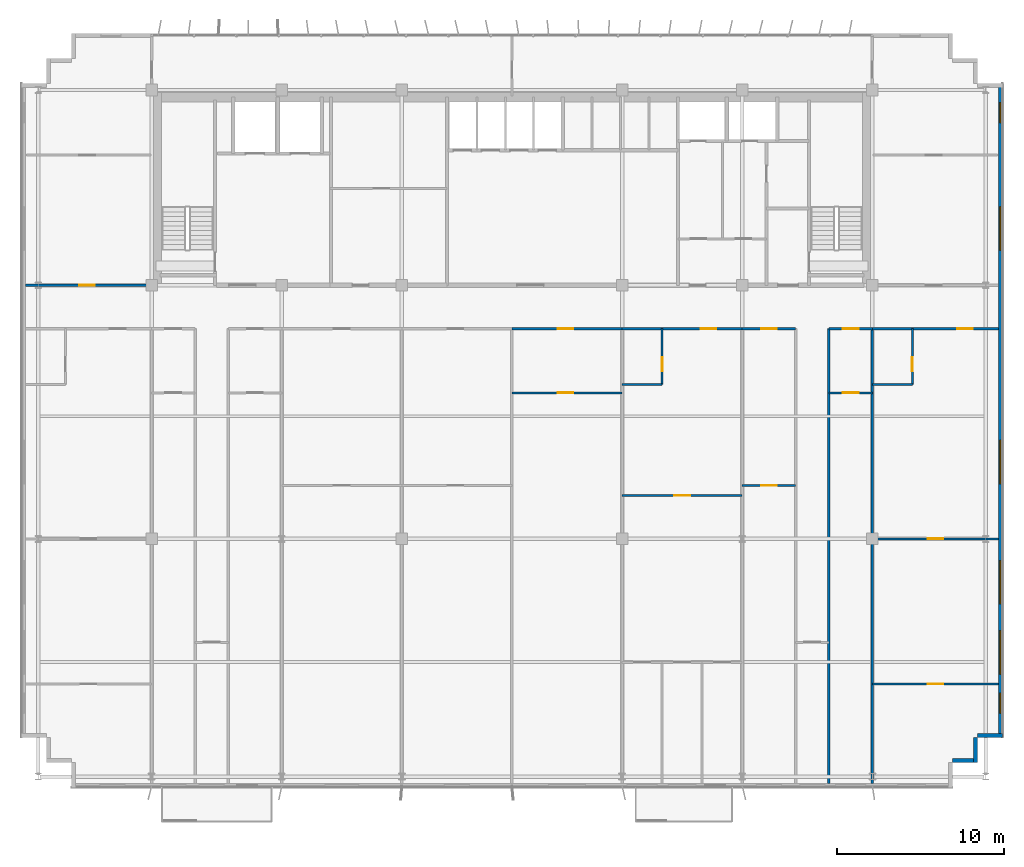
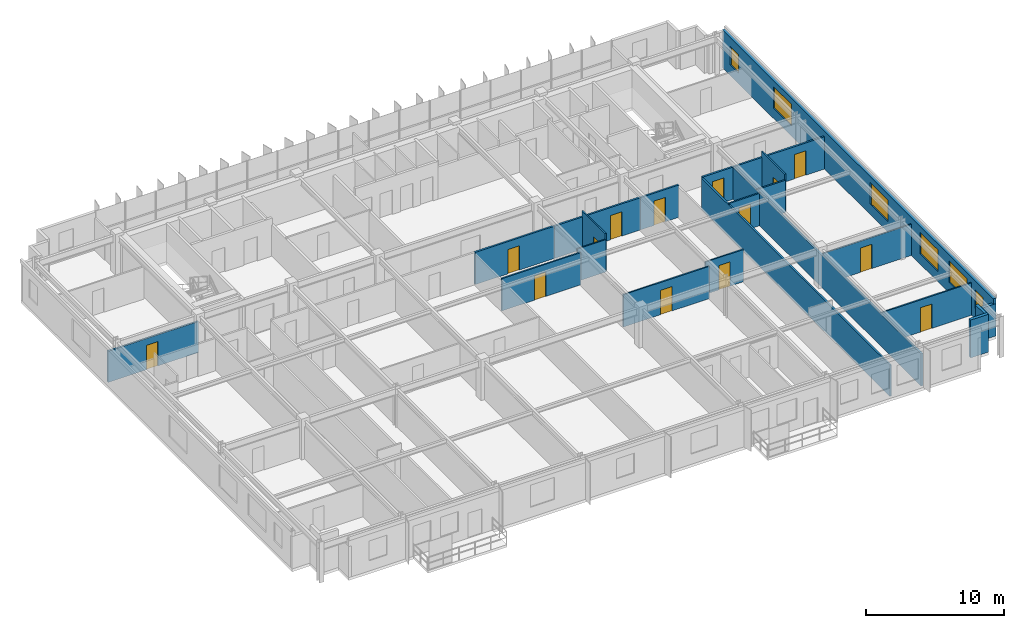
# One storey, part 16 of 20: 22 walls, 14 doors, 6 windows, 20 openings.
"""IFC4 building model written with IfcOpenShell, lengths in metres."""

from ifc_helpers import new_model, si_unit, direction, frame, frame_2d, origin, place, context, subcontext, project, spatial, rectangle, extrude, source, transform, mapped, material, layer, layer_set, type_object, element, fill, save


model = new_model("IFC4")

# Units and contexts
model_context = context("Model", 3, precision=1e-05, world=origin(), true_north=direction((0.0, 1.0)))
body_context = subcontext(model_context, "Body", "Model", "MODEL_VIEW")
ifc_project = project(units=[si_unit("LENGTHUNIT", "METRE"), si_unit("AREAUNIT", "SQUARE_METRE"), si_unit("VOLUMEUNIT", "CUBIC_METRE"), si_unit("PLANEANGLEUNIT", "RADIAN"), si_unit("MASSUNIT", "GRAM", prefix="KILO")], contexts=[model_context])

# Site, building, storey
site_placement = place(None, origin())
site = spatial("IfcSite", under=ifc_project, at=site_placement, CompositionType="ELEMENT")
building_placement = place(site_placement, origin())
building = spatial("IfcBuilding", under=site, at=building_placement, Name="Trelvane Seafront Commons", CompositionType="ELEMENT")
storey_placement = place(building_placement, frame((0.0, 0.0, 168.10009765625)))
storey = spatial("IfcBuildingStorey", under=building, at=storey_placement, Name="L44", CompositionType="ELEMENT", Elevation=168.10009765625)

# Wall, openings, windows
ifc_material_1 = material(Name="Precast concrete C40/50", Category="concrete")
ifc_layer_1 = layer(ifc_material_1, 0.239990234375, Name="ARCH-WALL-EXT240")
ifc_layer_set_1 = layer_set([ifc_layer_1], Name="Precast concrete C40/50")
wall_type_1 = type_object("IfcWallType", Name="ARCH-WALL-EXT240", PredefinedType="SOLIDWALL", material=ifc_layer_set_1)
wall_1_placement = place(storey_placement, frame((66.47998046875, 45.5, 0.0), z_axis=(0.0, 0.0, 1.0), x_axis=(0.0, -1.0, 0.0)))
wall_1 = element("IfcWall", 1, at=wall_1_placement, inside=storey, type_object=wall_type_1, Name="EW-L44-00877", PredefinedType="SOLIDWALL", context=body_context, shape_type="SweptSolid", body=[
    extrude(rectangle(XDim=39.199951171875, YDim=0.239990234375, at=frame_2d((19.60009765625, 0.0))), origin(), (0.0, 0.0, 1.0), 3.349853515625),
])
opening_1_placement = place(wall_1_placement, frame((36.550048828125, 0.0, 0.919921875)))
opening_1 = element("IfcOpeningElement", 2, at=opening_1_placement, cuts=wall_1, Name="Opening W05", PredefinedType="OPENING", context=body_context, shape_type="SweptSolid", body=[
    extrude(rectangle(XDim=1.199951171875, YDim=1.64990234375, at=frame_2d((0.60009765625, 0.824951171875))), frame((0.0, 0.1298828125, 0.0), z_axis=(0.0, -1.0, 0.0), x_axis=(1.0, 0.0, 0.0)), (0.0, 0.0, 1.0), 0.260009765625),
])
opening_2_placement = place(wall_1_placement, frame((32.800048828125, 0.0, 0.919921875)))
opening_2 = element("IfcOpeningElement", 3, at=opening_2_placement, cuts=wall_1, Name="Opening W04", PredefinedType="OPENING", context=body_context, shape_type="SweptSolid", body=[
    extrude(rectangle(XDim=2.60009765625, YDim=1.89990234375, at=frame_2d((1.300048828125, 0.949951171875))), frame((0.0, 0.1298828125, 0.0), z_axis=(0.0, -1.0, 0.0), x_axis=(1.0, 0.0, 0.0)), (0.0, 0.0, 1.0), 0.260009765625),
])
opening_3_placement = place(wall_1_placement, frame((28.60009765625, 0.0, 0.919921875)))
opening_3 = element("IfcOpeningElement", 4, at=opening_3_placement, cuts=wall_1, Name="Opening W04", PredefinedType="OPENING", context=body_context, shape_type="SweptSolid", body=[
    extrude(rectangle(XDim=2.60009765625, YDim=1.89990234375, at=frame_2d((1.300048828125, 0.949951171875))), frame((0.0, 0.1298828125, 0.0), z_axis=(0.0, -1.0, 0.0), x_axis=(1.0, 0.0, 0.0)), (0.0, 0.0, 1.0), 0.260009765625),
])
opening_4_placement = place(wall_1_placement, frame((21.39990234375, 0.0, 0.919921875)))
opening_4 = element("IfcOpeningElement", 5, at=opening_4_placement, cuts=wall_1, Name="Opening W04", PredefinedType="OPENING", context=body_context, shape_type="SweptSolid", body=[
    extrude(rectangle(XDim=2.60009765625, YDim=1.89990234375, at=frame_2d((1.300048828125, 0.949951171875))), frame((0.0, 0.1298828125, 0.0), z_axis=(0.0, -1.0, 0.0), x_axis=(1.0, 0.0, 0.0)), (0.0, 0.0, 1.0), 0.260009765625),
])
opening_5_placement = place(wall_1_placement, frame((7.39990234375, 0.0, 0.919921875)))
opening_5 = element("IfcOpeningElement", 6, at=opening_5_placement, cuts=wall_1, Name="Opening W04", PredefinedType="OPENING", context=body_context, shape_type="SweptSolid", body=[
    extrude(rectangle(XDim=2.60009765625, YDim=1.89990234375, at=frame_2d((1.300048828125, 0.949951171875))), frame((0.0, 0.1298828125, 0.0), z_axis=(0.0, -1.0, 0.0), x_axis=(1.0, 0.0, 0.0)), (0.0, 0.0, 1.0), 0.260009765625),
])
opening_6_placement = place(wall_1_placement, frame((1.14990234375, 0.0, 0.919921875)))
opening_6 = element("IfcOpeningElement", 7, at=opening_6_placement, cuts=wall_1, Name="Opening W05", PredefinedType="OPENING", context=body_context, shape_type="SweptSolid", body=[
    extrude(rectangle(XDim=1.199951171875, YDim=1.64990234375, at=frame_2d((0.60009765625, 0.824951171875))), frame((0.0, 0.1298828125, 0.0), z_axis=(0.0, -1.0, 0.0), x_axis=(1.0, 0.0, 0.0)), (0.0, 0.0, 1.0), 0.260009765625),
])
ifc_material_2 = material(Name="Low-E coastal double glazing", Category="glass")
window_type_1 = type_object("IfcWindowType", Name="ARCH-WIN-W04", PartitioningType="SINGLE_PANEL", PredefinedType="WINDOW", material=ifc_material_2)
shared_shape_1 = source(origin(), body_context, "Body", "SweptSolid", [
    extrude(rectangle(XDim=2.60009765625, YDim=1.89990234375, at=frame_2d((1.300048828125, 0.949951171875))), frame((0.0, 0.030029296875, 0.0), z_axis=(0.0, -1.0, 0.0), x_axis=(1.0, 0.0, 0.0)), (0.0, 0.0, 1.0), 0.06005859375),
])
window_1_placement = place(opening_2_placement, origin())
window_1 = element("IfcWindow", 8, at=window_1_placement, inside=storey, type_object=window_type_1, Name="WIN-L44-EW-01047", OverallHeight=1.89990234375, OverallWidth=2.60009765625, PartitioningType="SINGLE_PANEL", PredefinedType="WINDOW", context=body_context, shape_type="MappedRepresentation", body=[
    mapped(shared_shape_1, transform((0.0, 0.0, 0.0), x_axis=(1.0, 0.0, 0.0), y_axis=(0.0, 1.0, 0.0), z_axis=(0.0, 0.0, 1.0), scale=1.0)),
])
fill(opening_2, window_1)
window_2_placement = place(opening_3_placement, origin())
window_2 = element("IfcWindow", 9, at=window_2_placement, inside=storey, type_object=window_type_1, Name="WIN-L44-EW-01048", OverallHeight=1.89990234375, OverallWidth=2.60009765625, PartitioningType="SINGLE_PANEL", PredefinedType="WINDOW", context=body_context, shape_type="MappedRepresentation", body=[
    mapped(shared_shape_1, transform((0.0, 0.0, 0.0), x_axis=(1.0, 0.0, 0.0), y_axis=(0.0, 1.0, 0.0), z_axis=(0.0, 0.0, 1.0), scale=1.0)),
])
fill(opening_3, window_2)
window_3_placement = place(opening_4_placement, origin())
window_3 = element("IfcWindow", 10, at=window_3_placement, inside=storey, type_object=window_type_1, Name="WIN-L44-EW-01049", OverallHeight=1.89990234375, OverallWidth=2.60009765625, PartitioningType="SINGLE_PANEL", PredefinedType="WINDOW", context=body_context, shape_type="MappedRepresentation", body=[
    mapped(shared_shape_1, transform((0.0, 0.0, 0.0), x_axis=(1.0, 0.0, 0.0), y_axis=(0.0, 1.0, 0.0), z_axis=(0.0, 0.0, 1.0), scale=1.0)),
])
fill(opening_4, window_3)
window_4_placement = place(opening_5_placement, origin())
window_4 = element("IfcWindow", 11, at=window_4_placement, inside=storey, type_object=window_type_1, Name="WIN-L44-EW-01050", OverallHeight=1.89990234375, OverallWidth=2.60009765625, PartitioningType="SINGLE_PANEL", PredefinedType="WINDOW", context=body_context, shape_type="MappedRepresentation", body=[
    mapped(shared_shape_1, transform((0.0, 0.0, 0.0), x_axis=(1.0, 0.0, 0.0), y_axis=(0.0, 1.0, 0.0), z_axis=(0.0, 0.0, 1.0), scale=1.0)),
])
fill(opening_5, window_4)
window_type_2 = type_object("IfcWindowType", Name="ARCH-WIN-W05", PartitioningType="SINGLE_PANEL", PredefinedType="WINDOW", material=ifc_material_2)
shared_shape_2 = source(origin(), body_context, "Body", "SweptSolid", [
    extrude(rectangle(XDim=1.199951171875, YDim=1.64990234375, at=frame_2d((0.60009765625, 0.824951171875))), frame((0.0, 0.030029296875, 0.0), z_axis=(0.0, -1.0, 0.0), x_axis=(1.0, 0.0, 0.0)), (0.0, 0.0, 1.0), 0.06005859375),
])
window_5_placement = place(opening_1_placement, origin())
window_5 = element("IfcWindow", 12, at=window_5_placement, inside=storey, type_object=window_type_2, Name="WIN-L44-EW-01046", OverallHeight=1.64990234375, OverallWidth=1.199951171875, PartitioningType="SINGLE_PANEL", PredefinedType="WINDOW", context=body_context, shape_type="MappedRepresentation", body=[
    mapped(shared_shape_2, transform((0.0, 0.0, 0.0), x_axis=(1.0, 0.0, 0.0), y_axis=(0.0, 1.0, 0.0), z_axis=(0.0, 0.0, 1.0), scale=1.0)),
])
fill(opening_1, window_5)
window_6_placement = place(opening_6_placement, origin())
window_6 = element("IfcWindow", 13, at=window_6_placement, inside=storey, type_object=window_type_2, Name="WIN-L44-EW-01051", OverallHeight=1.64990234375, OverallWidth=1.199951171875, PartitioningType="SINGLE_PANEL", PredefinedType="WINDOW", context=body_context, shape_type="MappedRepresentation", body=[
    mapped(shared_shape_2, transform((0.0, 0.0, 0.0), x_axis=(1.0, 0.0, 0.0), y_axis=(0.0, 1.0, 0.0), z_axis=(0.0, 0.0, 1.0), scale=1.0)),
])
fill(opening_6, window_6)

# Walls
wall_2_placement = place(storey_placement, frame((66.60009765625, 6.419921875, 0.0), z_axis=(0.0, 0.0, 1.0), x_axis=(-1.0, 0.0, 0.0)))
element("IfcWall", 14, at=wall_2_placement, inside=storey, type_object=wall_type_1, Name="EW-L44-00878", PredefinedType="SOLIDWALL", context=body_context, shape_type="SweptSolid", body=[
    extrude(rectangle(XDim=1.5, YDim=0.239990234375, at=frame_2d((0.75, 0.0))), origin(), (0.0, 0.0, 1.0), 2.849853515625),
])
for number, where, z_axis, x_axis, name in (
    (15, (64.97998046875, 6.300048828125, 0.0), (0.0, 0.0, 1.0), (0.0, -1.0, 0.0), "EW-L44-00879"),
    (16, (65.10009765625, 4.919921875, 0.0), (0.0, 0.0, 1.0), (-1.0, 0.0, 0.0), "EW-L44-00880"),
):
    element("IfcWall", number, at=place(storey_placement, frame(where, z_axis=z_axis, x_axis=x_axis)), inside=storey, type_object=wall_type_1, Name=name, PredefinedType="SOLIDWALL", context=body_context, shape_type="SweptSolid", body=[
        extrude(rectangle(XDim=1.5, YDim=0.239990234375, at=frame_2d((0.75, 0.0))), origin(), (0.0, 0.0, 1.0), 3.349853515625),
    ])

# Wall, opening, door
ifc_material_3 = material(Name="Gypsum Drywall Acoustic Partition")
ifc_layer_2 = layer(ifc_material_3, 0.1201171875, Name="ARCH-WALL-PART120")
ifc_layer_set_2 = layer_set([ifc_layer_2], Name="Gypsum Drywall Acoustic Partition")
wall_type_2 = type_object("IfcWallType", Name="ARCH-WALL-PART120", PredefinedType="PARTITIONING", material=ifc_layer_set_2)
wall_3_placement = place(storey_placement, frame((37.199951171875, 26.949951171875, 0.0), z_axis=(0.0, 0.0, 1.0), x_axis=(1.0, 0.0, 0.0)))
wall_3 = element("IfcWall", 17, at=wall_3_placement, inside=storey, type_object=wall_type_2, Name="W-L44-U7-DIV-067", PredefinedType="PARTITIONING", context=body_context, shape_type="SweptSolid", body=[
    extrude(rectangle(XDim=6.60009765625, YDim=0.1201171875, at=frame_2d((3.300048828125, 0.0))), origin(), (0.0, 0.0, 1.0), 2.849853515625),
])
opening_7_placement = place(wall_3_placement, frame((2.73388671875, 0.0, 0.0)))
opening_7 = element("IfcOpeningElement", 18, at=opening_7_placement, cuts=wall_3, Name="Opening D-L44-41", PredefinedType="OPENING", context=body_context, shape_type="SweptSolid", body=[
    extrude(rectangle(XDim=0.949951171875, YDim=2.14990234375, at=frame_2d((0.47509765625, 1.074951171875))), frame((0.0, 0.070068359375, 0.0), z_axis=(0.0, -1.0, 0.0), x_axis=(1.0, 0.0, 0.0)), (0.0, 0.0, 1.0), 0.14013671875),
])
ifc_material_4 = material(Name="Acoustic timber door leaf", Category="wood")
door_type_1 = type_object("IfcDoorType", Name="ARCH-DR-INT950", OperationType="NOTDEFINED", PredefinedType="DOOR", material=ifc_material_4)
shared_shape_3 = source(origin(), body_context, "Body", "SweptSolid", [
    extrude(rectangle(XDim=0.949951171875, YDim=2.14990234375, at=frame_2d((0.47509765625, 1.074951171875))), frame((0.0, 0.02490234375, 0.0), z_axis=(0.0, -1.0, 0.0), x_axis=(1.0, 0.0, 0.0)), (0.0, 0.0, 1.0), 0.050048828125),
])
door_1_placement = place(opening_7_placement, origin())
door_1 = element("IfcDoor", 19, at=door_1_placement, inside=storey, type_object=door_type_1, Name="L44 Door 41", OperationType="SINGLE_SWING_LEFT", OverallHeight=2.14990234375, OverallWidth=0.949951171875, PredefinedType="DOOR", context=body_context, shape_type="MappedRepresentation", body=[
    mapped(shared_shape_3, transform((0.0, 0.0, 0.0), x_axis=(1.0, 0.0, 0.0), y_axis=(0.0, 1.0, 0.0), z_axis=(0.0, 0.0, 1.0), scale=1.0)),
])
fill(opening_7, door_1)

wall_4_placement = place(storey_placement, frame((43.800048828125, 20.800048828125, 0.0), z_axis=(0.0, 0.0, 1.0), x_axis=(1.0, 0.0, 0.0)))
wall_4 = element("IfcWall", 20, at=wall_4_placement, inside=storey, type_object=wall_type_2, Name="W-L44-U8-KL-068", PredefinedType="PARTITIONING", context=body_context, shape_type="SweptSolid", body=[
    extrude(rectangle(XDim=7.199951171875, YDim=0.1201171875, at=frame_2d((3.60009765625, 0.0))), origin(), (0.0, 0.0, 1.0), 2.849853515625),
])
opening_8_placement = place(wall_4_placement, frame((3.125, 0.0, 0.0)))
opening_8 = element("IfcOpeningElement", 21, at=opening_8_placement, cuts=wall_4, Name="Opening D-L44-42", PredefinedType="OPENING", context=body_context, shape_type="SweptSolid", body=[
    extrude(rectangle(XDim=0.949951171875, YDim=2.14990234375, at=frame_2d((0.47509765625, 1.074951171875))), frame((0.0, 0.070068359375, 0.0), z_axis=(0.0, -1.0, 0.0), x_axis=(1.0, 0.0, 0.0)), (0.0, 0.0, 1.0), 0.14013671875),
])
door_2_placement = place(opening_8_placement, origin())
door_2 = element("IfcDoor", 22, at=door_2_placement, inside=storey, type_object=door_type_1, Name="L44 Door 42", OperationType="SINGLE_SWING_RIGHT", OverallHeight=2.14990234375, OverallWidth=0.949951171875, PredefinedType="DOOR", context=body_context, shape_type="MappedRepresentation", body=[
    mapped(shared_shape_3, transform((0.0, 0.0, 0.0), x_axis=(1.0, 0.0, 0.0), y_axis=(0.0, 1.0, 0.0), z_axis=(0.0, 0.0, 1.0), scale=1.0)),
])
fill(opening_8, door_2)

wall_5_placement = place(storey_placement, frame((46.199951171875, 27.449951171875, 0.0), z_axis=(0.0, 0.0, 1.0), x_axis=(0.0, 1.0, 0.0)))
wall_5 = element("IfcWall", 23, at=wall_5_placement, inside=storey, type_object=wall_type_2, Name="W-L44-U8-BE-069", PredefinedType="PARTITIONING", context=body_context, shape_type="SweptSolid", body=[
    extrude(rectangle(XDim=3.35009765625, YDim=0.1201171875, at=frame_2d((1.675048828125, 0.0))), origin(), (0.0, 0.0, 1.0), 3.349853515625),
])
opening_9_placement = place(wall_5_placement, frame((0.800048828125, 0.0, 0.0)))
opening_9 = element("IfcOpeningElement", 24, at=opening_9_placement, cuts=wall_5, Name="Opening D-L44-43", PredefinedType="OPENING", context=body_context, shape_type="SweptSolid", body=[
    extrude(rectangle(XDim=0.85009765625, YDim=2.10009765625, at=frame_2d((0.425048828125, 1.050048828125))), frame((0.0, 0.070068359375, 0.0), z_axis=(0.0, -1.0, 0.0), x_axis=(1.0, 0.0, 0.0)), (0.0, 0.0, 1.0), 0.14013671875),
])
door_type_2 = type_object("IfcDoorType", Name="ARCH-DR-INT850", OperationType="NOTDEFINED", PredefinedType="DOOR", material=ifc_material_4)
shared_shape_4 = source(origin(), body_context, "Body", "SweptSolid", [
    extrude(rectangle(XDim=0.85009765625, YDim=2.10009765625, at=frame_2d((0.425048828125, 1.050048828125))), frame((0.0, 0.02490234375, 0.0), z_axis=(0.0, -1.0, 0.0), x_axis=(1.0, 0.0, 0.0)), (0.0, 0.0, 1.0), 0.050048828125),
])
door_3_placement = place(opening_9_placement, origin())
door_3 = element("IfcDoor", 25, at=door_3_placement, inside=storey, type_object=door_type_2, Name="L44 Door 43", OperationType="SINGLE_SWING_LEFT", OverallHeight=2.10009765625, OverallWidth=0.85009765625, PredefinedType="DOOR", context=body_context, shape_type="MappedRepresentation", body=[
    mapped(shared_shape_4, transform((0.0, 0.0, 0.0), x_axis=(1.0, 0.0, 0.0), y_axis=(0.0, 1.0, 0.0), z_axis=(0.0, 0.0, 1.0), scale=1.0)),
])
fill(opening_9, door_3)

# Wall
wall_6_placement = place(storey_placement, frame((43.800048828125, 27.449951171875, 0.0), z_axis=(0.0, 0.0, 1.0), x_axis=(1.0, 0.0, 0.0)))
element("IfcWall", 26, at=wall_6_placement, inside=storey, type_object=wall_type_2, Name="W-L44-U8-BS-070", PredefinedType="PARTITIONING", context=body_context, shape_type="SweptSolid", body=[
    extrude(rectangle(XDim=2.39990234375, YDim=0.1201171875, at=frame_2d((1.199951171875, 0.0))), origin(), (0.0, 0.0, 1.0), 2.849853515625),
])

# Wall, opening, door
wall_7_placement = place(storey_placement, frame((51.0, 21.39990234375, 0.0), z_axis=(0.0, 0.0, 1.0), x_axis=(1.0, 0.0, 0.0)))
wall_7 = element("IfcWall", 27, at=wall_7_placement, inside=storey, type_object=wall_type_2, Name="W-L44-U9-DIV-078", PredefinedType="PARTITIONING", context=body_context, shape_type="SweptSolid", body=[
    extrude(rectangle(XDim=3.199951171875, YDim=0.1201171875, at=frame_2d((1.60009765625, 0.0))), origin(), (0.0, 0.0, 1.0), 2.849853515625),
])
opening_10_placement = place(wall_7_placement, frame((1.125, 0.0, 0.0)))
opening_10 = element("IfcOpeningElement", 28, at=opening_10_placement, cuts=wall_7, Name="Opening D-L44-49", PredefinedType="OPENING", context=body_context, shape_type="SweptSolid", body=[
    extrude(rectangle(XDim=0.949951171875, YDim=2.14990234375, at=frame_2d((0.47509765625, 1.074951171875))), frame((0.0, 0.070068359375, 0.0), z_axis=(0.0, -1.0, 0.0), x_axis=(1.0, 0.0, 0.0)), (0.0, 0.0, 1.0), 0.14013671875),
])
door_4_placement = place(opening_10_placement, origin())
door_4 = element("IfcDoor", 29, at=door_4_placement, inside=storey, type_object=door_type_1, Name="L44 Door 49", OperationType="SINGLE_SWING_LEFT", OverallHeight=2.14990234375, OverallWidth=0.949951171875, PredefinedType="DOOR", context=body_context, shape_type="MappedRepresentation", body=[
    mapped(shared_shape_3, transform((0.0, 0.0, 0.0), x_axis=(1.0, 0.0, 0.0), y_axis=(0.0, 1.0, 0.0), z_axis=(0.0, 0.0, 1.0), scale=1.0)),
])
fill(opening_10, door_4)

wall_8_placement = place(storey_placement, frame((56.199951171875, 26.949951171875, 0.0), z_axis=(0.0, 0.0, 1.0), x_axis=(1.0, 0.0, 0.0)))
wall_8 = element("IfcWall", 30, at=wall_8_placement, inside=storey, type_object=wall_type_2, Name="W-L44-U11-DIV-083", PredefinedType="PARTITIONING", context=body_context, shape_type="SweptSolid", body=[
    extrude(rectangle(XDim=2.60009765625, YDim=0.1201171875, at=frame_2d((1.300048828125, 0.0))), origin(), (0.0, 0.0, 1.0), 2.849853515625),
])
opening_11_placement = place(wall_8_placement, frame((0.824951171875, 0.0, 0.0)))
opening_11 = element("IfcOpeningElement", 31, at=opening_11_placement, cuts=wall_8, Name="Opening D-L44-52", PredefinedType="OPENING", context=body_context, shape_type="SweptSolid", body=[
    extrude(rectangle(XDim=0.949951171875, YDim=2.14990234375, at=frame_2d((0.47509765625, 1.074951171875))), frame((0.0, 0.070068359375, 0.0), z_axis=(0.0, -1.0, 0.0), x_axis=(1.0, 0.0, 0.0)), (0.0, 0.0, 1.0), 0.14013671875),
])
door_5_placement = place(opening_11_placement, origin())
door_5 = element("IfcDoor", 32, at=door_5_placement, inside=storey, type_object=door_type_1, Name="L44 Door 52", OperationType="SINGLE_SWING_RIGHT", OverallHeight=2.14990234375, OverallWidth=0.949951171875, PredefinedType="DOOR", context=body_context, shape_type="MappedRepresentation", body=[
    mapped(shared_shape_3, transform((0.0, 0.0, 0.0), x_axis=(1.0, 0.0, 0.0), y_axis=(0.0, 1.0, 0.0), z_axis=(0.0, 0.0, 1.0), scale=1.0)),
])
fill(opening_11, door_5)

wall_9_placement = place(storey_placement, frame((58.800048828125, 18.199951171875, 0.0), z_axis=(0.0, 0.0, 1.0), x_axis=(1.0, 0.0, 0.0)))
wall_9 = element("IfcWall", 33, at=wall_9_placement, inside=storey, type_object=wall_type_2, Name="W-L44-U12-KL-084", PredefinedType="PARTITIONING", context=body_context, shape_type="SweptSolid", body=[
    extrude(rectangle(XDim=7.56005859375, YDim=0.1201171875, at=frame_2d((3.780029296875, 0.0))), origin(), (0.0, 0.0, 1.0), 2.75),
])
opening_12_placement = place(wall_9_placement, frame((3.304931640625, 0.0, 0.0)))
opening_12 = element("IfcOpeningElement", 34, at=opening_12_placement, cuts=wall_9, Name="Opening D-L44-53", PredefinedType="OPENING", context=body_context, shape_type="SweptSolid", body=[
    extrude(rectangle(XDim=0.949951171875, YDim=2.14990234375, at=frame_2d((0.47509765625, 1.074951171875))), frame((0.0, 0.070068359375, 0.0), z_axis=(0.0, -1.0, 0.0), x_axis=(1.0, 0.0, 0.0)), (0.0, 0.0, 1.0), 0.14013671875),
])
door_6_placement = place(opening_12_placement, origin())
door_6 = element("IfcDoor", 35, at=door_6_placement, inside=storey, type_object=door_type_1, Name="L44 Door 53", OperationType="SINGLE_SWING_LEFT", OverallHeight=2.14990234375, OverallWidth=0.949951171875, PredefinedType="DOOR", context=body_context, shape_type="MappedRepresentation", body=[
    mapped(shared_shape_3, transform((0.0, 0.0, 0.0), x_axis=(1.0, 0.0, 0.0), y_axis=(0.0, 1.0, 0.0), z_axis=(0.0, 0.0, 1.0), scale=1.0)),
])
fill(opening_12, door_6)

wall_10_placement = place(storey_placement, frame((61.199951171875, 27.449951171875, 0.0), z_axis=(0.0, 0.0, 1.0), x_axis=(0.0, 1.0, 0.0)))
wall_10 = element("IfcWall", 36, at=wall_10_placement, inside=storey, type_object=wall_type_2, Name="W-L44-U12-BE-085", PredefinedType="PARTITIONING", context=body_context, shape_type="SweptSolid", body=[
    extrude(rectangle(XDim=3.35009765625, YDim=0.1201171875, at=frame_2d((1.675048828125, 0.0))), origin(), (0.0, 0.0, 1.0), 3.349853515625),
])
opening_13_placement = place(wall_10_placement, frame((0.800048828125, 0.0, 0.0)))
opening_13 = element("IfcOpeningElement", 37, at=opening_13_placement, cuts=wall_10, Name="Opening D-L44-54", PredefinedType="OPENING", context=body_context, shape_type="SweptSolid", body=[
    extrude(rectangle(XDim=0.85009765625, YDim=2.10009765625, at=frame_2d((0.425048828125, 1.050048828125))), frame((0.0, 0.070068359375, 0.0), z_axis=(0.0, -1.0, 0.0), x_axis=(1.0, 0.0, 0.0)), (0.0, 0.0, 1.0), 0.14013671875),
])
door_7_placement = place(opening_13_placement, origin())
door_7 = element("IfcDoor", 38, at=door_7_placement, inside=storey, type_object=door_type_2, Name="L44 Door 54", OperationType="SINGLE_SWING_RIGHT", OverallHeight=2.10009765625, OverallWidth=0.85009765625, PredefinedType="DOOR", context=body_context, shape_type="MappedRepresentation", body=[
    mapped(shared_shape_4, transform((0.0, 0.0, 0.0), x_axis=(1.0, 0.0, 0.0), y_axis=(0.0, 1.0, 0.0), z_axis=(0.0, 0.0, 1.0), scale=1.0)),
])
fill(opening_13, door_7)

# Wall
wall_11_placement = place(storey_placement, frame((58.800048828125, 27.449951171875, 0.0), z_axis=(0.0, 0.0, 1.0), x_axis=(1.0, 0.0, 0.0)))
element("IfcWall", 39, at=wall_11_placement, inside=storey, type_object=wall_type_2, Name="W-L44-U12-BS-086", PredefinedType="PARTITIONING", context=body_context, shape_type="SweptSolid", body=[
    extrude(rectangle(XDim=2.39990234375, YDim=0.1201171875, at=frame_2d((1.199951171875, 0.0))), origin(), (0.0, 0.0, 1.0), 2.849853515625),
])

# Wall, opening, door
wall_12_placement = place(storey_placement, frame((58.800048828125, 9.5, 0.0), z_axis=(0.0, 0.0, 1.0), x_axis=(1.0, 0.0, 0.0)))
wall_12 = element("IfcWall", 40, at=wall_12_placement, inside=storey, type_object=wall_type_2, Name="W-L44-U12-YM-1-088", PredefinedType="PARTITIONING", context=body_context, shape_type="SweptSolid", body=[
    extrude(rectangle(XDim=7.56005859375, YDim=0.1201171875, at=frame_2d((3.780029296875, 0.0))), origin(), (0.0, 0.0, 1.0), 2.849853515625),
])
opening_14_placement = place(wall_12_placement, frame((3.304931640625, 0.0, 0.0)))
opening_14 = element("IfcOpeningElement", 41, at=opening_14_placement, cuts=wall_12, Name="Opening D-L44-56", PredefinedType="OPENING", context=body_context, shape_type="SweptSolid", body=[
    extrude(rectangle(XDim=0.949951171875, YDim=2.14990234375, at=frame_2d((0.47509765625, 1.074951171875))), frame((0.0, 0.070068359375, 0.0), z_axis=(0.0, -1.0, 0.0), x_axis=(1.0, 0.0, 0.0)), (0.0, 0.0, 1.0), 0.14013671875),
])
door_8_placement = place(opening_14_placement, origin())
door_8 = element("IfcDoor", 42, at=door_8_placement, inside=storey, type_object=door_type_1, Name="L44 Door 56", OperationType="SINGLE_SWING_RIGHT", OverallHeight=2.14990234375, OverallWidth=0.949951171875, PredefinedType="DOOR", context=body_context, shape_type="MappedRepresentation", body=[
    mapped(shared_shape_3, transform((0.0, 0.0, 0.0), x_axis=(1.0, 0.0, 0.0), y_axis=(0.0, 1.0, 0.0), z_axis=(0.0, 0.0, 1.0), scale=1.0)),
])
fill(opening_14, door_8)

ifc_layer_3 = layer(ifc_material_3, 0.14990234375, Name="ARCH-WALL-PART150")
ifc_layer_set_3 = layer_set([ifc_layer_3], Name="Gypsum Drywall Acoustic Partition")
wall_type_3 = type_object("IfcWallType", Name="ARCH-WALL-PART150", PredefinedType="PARTITIONING", material=ifc_layer_set_3)
wall_13_placement = place(storey_placement, frame((8.050048828125, 33.39990234375, 0.0), z_axis=(0.0, 0.0, 1.0), x_axis=(1.0, 0.0, 0.0)))
wall_13 = element("IfcWall", 43, at=wall_13_placement, inside=storey, type_object=wall_type_3, Name="W-L44-NW-ENT-037", PredefinedType="PARTITIONING", context=body_context, shape_type="SweptSolid", body=[
    extrude(rectangle(XDim=7.550048828125, YDim=0.14990234375, at=frame_2d((3.77490234375, 0.0))), origin(), (0.0, 0.0, 1.0), 2.75),
])
opening_15_placement = place(wall_13_placement, frame((3.199951171875, 0.0, 0.0)))
opening_15 = element("IfcOpeningElement", 44, at=opening_15_placement, cuts=wall_13, Name="Opening FD-L44-21", PredefinedType="OPENING", context=body_context, shape_type="SweptSolid", body=[
    extrude(rectangle(XDim=0.949951171875, YDim=2.14990234375, at=frame_2d((0.47509765625, 1.074951171875))), frame((0.0, 0.0849609375, 0.0), z_axis=(0.0, -1.0, 0.0), x_axis=(1.0, 0.0, 0.0)), (0.0, 0.0, 1.0), 0.169921875),
])
ifc_material_5 = material(Name="Powder-coated aluminium frame", Category="aluminium")
door_type_3 = type_object("IfcDoorType", Name="ARCH-DR-FD60-950", OperationType="NOTDEFINED", PredefinedType="DOOR", material=ifc_material_5)
door_9_placement = place(opening_15_placement, origin())
door_9 = element("IfcDoor", 45, at=door_9_placement, inside=storey, type_object=door_type_3, Name="L44 NW Suite Entrance Door", OperationType="SINGLE_SWING_LEFT", OverallHeight=2.14990234375, OverallWidth=0.949951171875, PredefinedType="DOOR", context=body_context, shape_type="MappedRepresentation", body=[
    mapped(shared_shape_3, transform((0.0, 0.0, 0.0), x_axis=(1.0, 0.0, 0.0), y_axis=(0.0, 1.0, 0.0), z_axis=(0.0, 0.0, 1.0), scale=1.0)),
])
fill(opening_15, door_9)

# Wall
wall_14_placement = place(storey_placement, frame((58.800048828125, 3.52490234375, 0.0), z_axis=(0.0, 0.0, 1.0), x_axis=(0.0, 1.0, 0.0)))
element("IfcWall", 46, at=wall_14_placement, inside=storey, type_object=wall_type_3, Name="W-L44-PW-11-049", PredefinedType="PARTITIONING", context=body_context, shape_type="SweptSolid", body=[
    extrude(rectangle(XDim=27.275146484375, YDim=0.14990234375, at=frame_2d((13.6376953125, 0.0))), origin(), (0.0, 0.0, 1.0), 2.849853515625),
])

# Wall, opening, door
wall_15_placement = place(storey_placement, frame((37.199951171875, 30.800048828125, 0.0), z_axis=(0.0, 0.0, 1.0), x_axis=(1.0, 0.0, 0.0)))
wall_15 = element("IfcWall", 47, at=wall_15_placement, inside=storey, type_object=wall_type_3, Name="W-L44-CS-BAY-7-066", PredefinedType="PARTITIONING", context=body_context, shape_type="SweptSolid", body=[
    extrude(rectangle(XDim=6.60009765625, YDim=0.14990234375, at=frame_2d((3.300048828125, 0.0))), origin(), (0.0, 0.0, 1.0), 2.849853515625),
])
opening_16_placement = place(wall_15_placement, frame((2.73388671875, 0.0, 0.0)))
opening_16 = element("IfcOpeningElement", 48, at=opening_16_placement, cuts=wall_15, Name="Opening FD-L44-40", PredefinedType="OPENING", context=body_context, shape_type="SweptSolid", body=[
    extrude(rectangle(XDim=0.949951171875, YDim=2.14990234375, at=frame_2d((0.47509765625, 1.074951171875))), frame((0.0, 0.0849609375, 0.0), z_axis=(0.0, -1.0, 0.0), x_axis=(1.0, 0.0, 0.0)), (0.0, 0.0, 1.0), 0.169921875),
])
door_10_placement = place(opening_16_placement, origin())
door_10 = element("IfcDoor", 49, at=door_10_placement, inside=storey, type_object=door_type_3, Name="L44 Bay 07 Entrance Door", OperationType="SINGLE_SWING_RIGHT", OverallHeight=2.14990234375, OverallWidth=0.949951171875, PredefinedType="DOOR", context=body_context, shape_type="MappedRepresentation", body=[
    mapped(shared_shape_3, transform((0.0, 0.0, 0.0), x_axis=(1.0, 0.0, 0.0), y_axis=(0.0, 1.0, 0.0), z_axis=(0.0, 0.0, 1.0), scale=1.0)),
])
fill(opening_16, door_10)

wall_16_placement = place(storey_placement, frame((43.800048828125, 30.800048828125, 0.0), z_axis=(0.0, 0.0, 1.0), x_axis=(1.0, 0.0, 0.0)))
wall_16 = element("IfcWall", 50, at=wall_16_placement, inside=storey, type_object=wall_type_3, Name="W-L44-CS-BAY-8-071", PredefinedType="PARTITIONING", context=body_context, shape_type="SweptSolid", body=[
    extrude(rectangle(XDim=7.199951171875, YDim=0.14990234375, at=frame_2d((3.60009765625, 0.0))), origin(), (0.0, 0.0, 1.0), 2.849853515625),
])
opening_17_placement = place(wall_16_placement, frame((4.7060546875, 0.0, 0.0)))
opening_17 = element("IfcOpeningElement", 51, at=opening_17_placement, cuts=wall_16, Name="Opening FD-L44-44", PredefinedType="OPENING", context=body_context, shape_type="SweptSolid", body=[
    extrude(rectangle(XDim=0.949951171875, YDim=2.14990234375, at=frame_2d((0.47509765625, 1.074951171875))), frame((0.0, 0.0849609375, 0.0), z_axis=(0.0, -1.0, 0.0), x_axis=(1.0, 0.0, 0.0)), (0.0, 0.0, 1.0), 0.169921875),
])
door_11_placement = place(opening_17_placement, origin())
door_11 = element("IfcDoor", 52, at=door_11_placement, inside=storey, type_object=door_type_3, Name="L44 Unit 08 Entrance Door", OperationType="SINGLE_SWING_RIGHT", OverallHeight=2.14990234375, OverallWidth=0.949951171875, PredefinedType="DOOR", context=body_context, shape_type="MappedRepresentation", body=[
    mapped(shared_shape_3, transform((0.0, 0.0, 0.0), x_axis=(1.0, 0.0, 0.0), y_axis=(0.0, 1.0, 0.0), z_axis=(0.0, 0.0, 1.0), scale=1.0)),
])
fill(opening_17, door_11)

wall_17_placement = place(storey_placement, frame((51.0, 30.800048828125, 0.0), z_axis=(0.0, 0.0, 1.0), x_axis=(1.0, 0.0, 0.0)))
wall_17 = element("IfcWall", 53, at=wall_17_placement, inside=storey, type_object=wall_type_3, Name="W-L44-CS-BAY-9-077", PredefinedType="PARTITIONING", context=body_context, shape_type="SweptSolid", body=[
    extrude(rectangle(XDim=3.199951171875, YDim=0.14990234375, at=frame_2d((1.60009765625, 0.0))), origin(), (0.0, 0.0, 1.0), 2.849853515625),
])
opening_18_placement = place(wall_17_placement, frame((1.125, 0.0, 0.0)))
opening_18 = element("IfcOpeningElement", 54, at=opening_18_placement, cuts=wall_17, Name="Opening FD-L44-48", PredefinedType="OPENING", context=body_context, shape_type="SweptSolid", body=[
    extrude(rectangle(XDim=0.949951171875, YDim=2.14990234375, at=frame_2d((0.47509765625, 1.074951171875))), frame((0.0, 0.0849609375, 0.0), z_axis=(0.0, -1.0, 0.0), x_axis=(1.0, 0.0, 0.0)), (0.0, 0.0, 1.0), 0.169921875),
])
door_12_placement = place(opening_18_placement, origin())
door_12 = element("IfcDoor", 55, at=door_12_placement, inside=storey, type_object=door_type_3, Name="L44 Bay 09 Entrance Door", OperationType="SINGLE_SWING_RIGHT", OverallHeight=2.14990234375, OverallWidth=0.949951171875, PredefinedType="DOOR", context=body_context, shape_type="MappedRepresentation", body=[
    mapped(shared_shape_3, transform((0.0, 0.0, 0.0), x_axis=(1.0, 0.0, 0.0), y_axis=(0.0, 1.0, 0.0), z_axis=(0.0, 0.0, 1.0), scale=1.0)),
])
fill(opening_18, door_12)

# Wall
wall_18_placement = place(storey_placement, frame((56.199951171875, 3.52490234375, 0.0), z_axis=(0.0, 0.0, 1.0), x_axis=(0.0, 1.0, 0.0)))
element("IfcWall", 56, at=wall_18_placement, inside=storey, type_object=wall_type_3, Name="W-L44-ARM-E-10-080", PredefinedType="PARTITIONING", context=body_context, shape_type="SweptSolid", body=[
    extrude(rectangle(XDim=27.275146484375, YDim=0.14990234375, at=frame_2d((13.6376953125, 0.0))), origin(), (0.0, 0.0, 1.0), 2.75),
])

# Wall, opening, door
wall_19_placement = place(storey_placement, frame((56.199951171875, 30.800048828125, 0.0), z_axis=(0.0, 0.0, 1.0), x_axis=(1.0, 0.0, 0.0)))
wall_19 = element("IfcWall", 57, at=wall_19_placement, inside=storey, type_object=wall_type_3, Name="W-L44-CS-BAY-11-082", PredefinedType="PARTITIONING", context=body_context, shape_type="SweptSolid", body=[
    extrude(rectangle(XDim=2.60009765625, YDim=0.14990234375, at=frame_2d((1.300048828125, 0.0))), origin(), (0.0, 0.0, 1.0), 2.849853515625),
])
opening_19_placement = place(wall_19_placement, frame((0.824951171875, 0.0, 0.0)))
opening_19 = element("IfcOpeningElement", 58, at=opening_19_placement, cuts=wall_19, Name="Opening FD-L44-51", PredefinedType="OPENING", context=body_context, shape_type="SweptSolid", body=[
    extrude(rectangle(XDim=0.949951171875, YDim=2.14990234375, at=frame_2d((0.47509765625, 1.074951171875))), frame((0.0, 0.0849609375, 0.0), z_axis=(0.0, -1.0, 0.0), x_axis=(1.0, 0.0, 0.0)), (0.0, 0.0, 1.0), 0.169921875),
])
door_13_placement = place(opening_19_placement, origin())
door_13 = element("IfcDoor", 59, at=door_13_placement, inside=storey, type_object=door_type_3, Name="L44 Bay 11 Entrance Door", OperationType="SINGLE_SWING_LEFT", OverallHeight=2.14990234375, OverallWidth=0.949951171875, PredefinedType="DOOR", context=body_context, shape_type="MappedRepresentation", body=[
    mapped(shared_shape_3, transform((0.0, 0.0, 0.0), x_axis=(1.0, 0.0, 0.0), y_axis=(0.0, 1.0, 0.0), z_axis=(0.0, 0.0, 1.0), scale=1.0)),
])
fill(opening_19, door_13)

wall_20_placement = place(storey_placement, frame((58.800048828125, 30.800048828125, 0.0), z_axis=(0.0, 0.0, 1.0), x_axis=(1.0, 0.0, 0.0)))
wall_20 = element("IfcWall", 60, at=wall_20_placement, inside=storey, type_object=wall_type_3, Name="W-L44-CS-BAY-12-087", PredefinedType="PARTITIONING", context=body_context, shape_type="SweptSolid", body=[
    extrude(rectangle(XDim=7.574951171875, YDim=0.14990234375, at=frame_2d((3.78759765625, 0.0))), origin(), (0.0, 0.0, 1.0), 2.849853515625),
])
opening_20_placement = place(wall_20_placement, frame((5.072998046875, 0.0, 0.0)))
opening_20 = element("IfcOpeningElement", 61, at=opening_20_placement, cuts=wall_20, Name="Opening FD-L44-55", PredefinedType="OPENING", context=body_context, shape_type="SweptSolid", body=[
    extrude(rectangle(XDim=0.949951171875, YDim=2.14990234375, at=frame_2d((0.47509765625, 1.074951171875))), frame((0.0, 0.0849609375, 0.0), z_axis=(0.0, -1.0, 0.0), x_axis=(1.0, 0.0, 0.0)), (0.0, 0.0, 1.0), 0.169921875),
])
door_14_placement = place(opening_20_placement, origin())
door_14 = element("IfcDoor", 62, at=door_14_placement, inside=storey, type_object=door_type_3, Name="L44 Unit 12 Entrance Door", OperationType="SINGLE_SWING_LEFT", OverallHeight=2.14990234375, OverallWidth=0.949951171875, PredefinedType="DOOR", context=body_context, shape_type="MappedRepresentation", body=[
    mapped(shared_shape_3, transform((0.0, 0.0, 0.0), x_axis=(1.0, 0.0, 0.0), y_axis=(0.0, 1.0, 0.0), z_axis=(0.0, 0.0, 1.0), scale=1.0)),
])
fill(opening_20, door_14)

save(model, "model.ifc")
